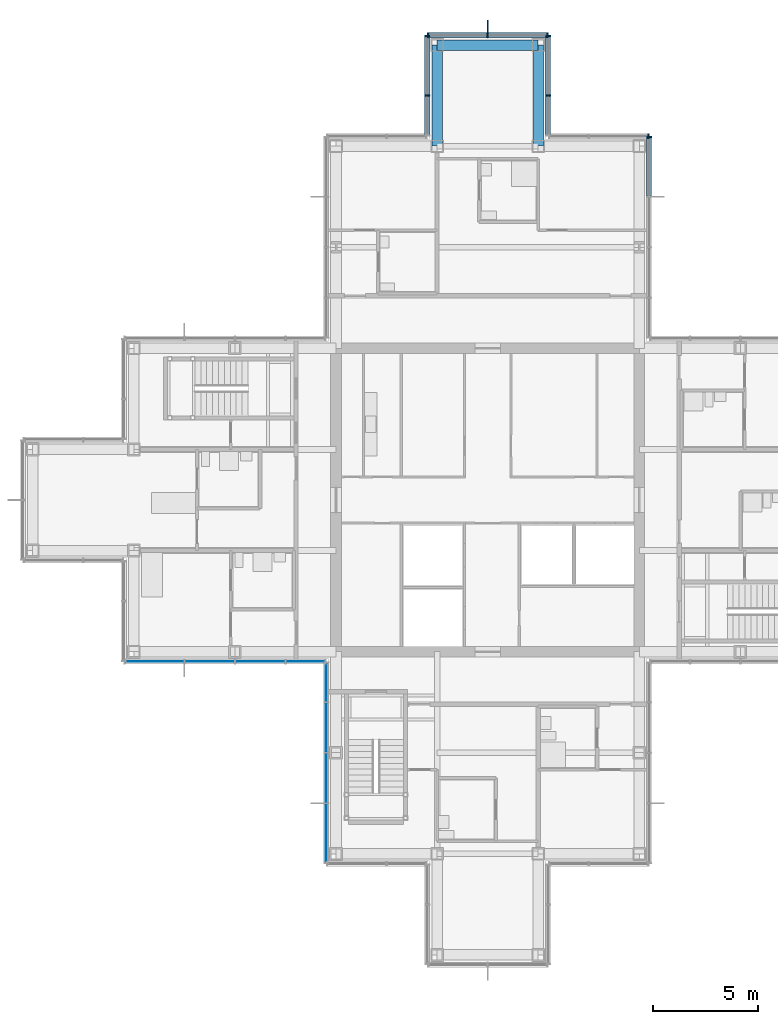
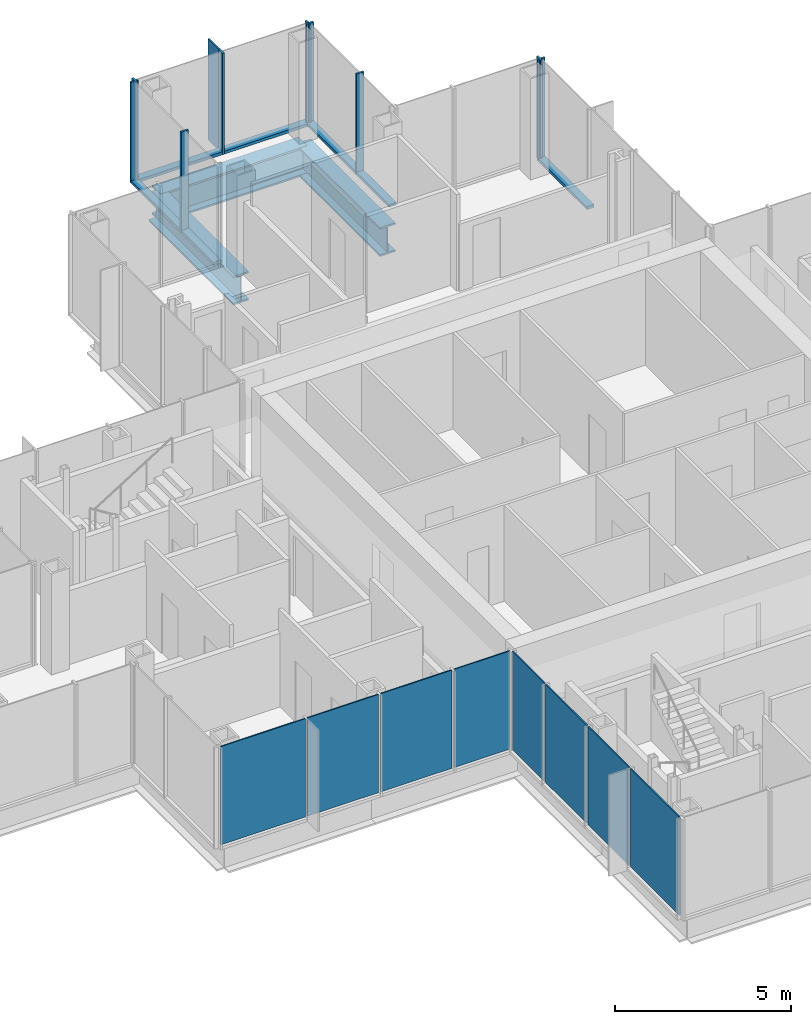
# One storey, part 9 of 17: 17 members, 8 plates, 3 beams, 7 elements without a shape of their own.
"""IFC4 building model written with IfcOpenShell, lengths in metres."""

from ifc_helpers import new_model, si_unit, direction, frame, origin, origin_2d, place, context, subcontext, project, spatial, rectangle, i_section, extrude, material, layer, layer_set, material_profile, profile_set, type_object, element, aggregate, save


model = new_model("IFC4")

# Units and contexts
model_context = context("Model", 3, precision=1e-05, world=origin(), true_north=direction((0.0, 1.0)))
body_context = subcontext(model_context, "Body", "Model", "MODEL_VIEW")
ifc_project = project(units=[si_unit("LENGTHUNIT", "METRE"), si_unit("AREAUNIT", "SQUARE_METRE"), si_unit("VOLUMEUNIT", "CUBIC_METRE"), si_unit("PLANEANGLEUNIT", "RADIAN"), si_unit("MASSUNIT", "GRAM", prefix="KILO")], contexts=[model_context])

# Site, building, storey
site_placement = place(None, origin())
site = spatial("IfcSite", under=ifc_project, at=site_placement, CompositionType="ELEMENT")
building_placement = place(site_placement, origin())
building = spatial("IfcBuilding", under=site, at=building_placement, Name="Kvirike Care Tower", CompositionType="ELEMENT")
storey_placement = place(building_placement, frame((0.0, 0.0, 165.5)))
storey = spatial("IfcBuildingStorey", under=building, at=storey_placement, Name="L45", CompositionType="ELEMENT", Elevation=165.5)

# Curtain wall, member
ifc_material_1 = material(Name="Anodised aluminium stick system", Category="aluminium")
curtain_wall_type = type_object("IfcCurtainWallType", Name="CW-C STICK CURTAIN WALL", PredefinedType="NOTDEFINED", material=ifc_material_1)
curtain_wall_1_placement = place(storey_placement, origin())
curtain_wall_1 = element("IfcCurtainWall", 1, at=curtain_wall_1_placement, inside=storey, type_object=curtain_wall_type, Name="Curtain wall L45 face 11", PredefinedType="NOTDEFINED")
ifc_material_2 = material(Name="Bronze anodised aluminium fin", Category="aluminium")
ifc_material_profile_1 = material_profile(ifc_material_2, rectangle(XDim=0.050048828125, YDim=0.60009765625, at=origin_2d()), Name="BRONZE FIN 600")
ifc_profile_set_1 = profile_set([ifc_material_profile_1], Name="Bronze anodised aluminium fin")
member_type_1 = type_object("IfcMemberType", Name="BRONZE FIN 600", PredefinedType="USERDEFINED", material=ifc_profile_set_1)
member_1_placement = place(storey_placement, frame((21.60009765625, 58.489990234375, 0.0), z_axis=(0.0, 0.0, 1.0), x_axis=(-1.0, 0.0, 0.0)))
member_1 = element("IfcMember", 2, at=member_1_placement, type_object=member_type_1, Name="Bronze fin L45 face 11.2", ObjectType="FIN", PredefinedType="USERDEFINED", context=body_context, shape_type="SweptSolid", body=[
    extrude(rectangle(XDim=0.050048828125, YDim=0.60009765625, at=origin_2d()), origin(), (0.0, 0.0, 1.0), 3.5),
])

curtain_wall_2_placement = place(storey_placement, origin())
curtain_wall_2 = element("IfcCurtainWall", 3, at=curtain_wall_2_placement, inside=storey, type_object=curtain_wall_type, Name="Curtain wall L45 face 8", PredefinedType="NOTDEFINED")
ifc_material_3 = material(Name="Bronze anodised aluminium mullion", Category="aluminium")
ifc_material_profile_2 = material_profile(ifc_material_3, rectangle(XDim=0.06494140625, YDim=0.239990234375, at=origin_2d()), Name="CW-C MULLION 65x240")
ifc_profile_set_2 = profile_set([ifc_material_profile_2], Name="Bronze anodised aluminium mullion")
member_type_2 = type_object("IfcMemberType", Name="CW-C MULLION 65x240", PredefinedType="MULLION", material=ifc_profile_set_2)
member_2_placement = place(storey_placement, frame((29.27001953125, 53.237548828125, 0.0), z_axis=(0.0, 0.0, 1.0), x_axis=(0.0, 1.0, 0.0)))
member_2 = element("IfcMember", 4, at=member_2_placement, type_object=member_type_2, Name="CW-C mullion L45 face 8.5", PredefinedType="MULLION", context=body_context, shape_type="SweptSolid", body=[
    extrude(rectangle(XDim=0.06494140625, YDim=0.239990234375, at=origin_2d()), origin(), (0.0, 0.0, 1.0), 3.5),
])

curtain_wall_3_placement = place(storey_placement, origin())
curtain_wall_3 = element("IfcCurtainWall", 5, at=curtain_wall_3_placement, inside=storey, type_object=curtain_wall_type, Name="Curtain wall L45 face 9", PredefinedType="NOTDEFINED")
member_3_placement = place(storey_placement, frame((29.237548828125, 53.27001953125, 0.0), z_axis=(0.0, 0.0, 1.0), x_axis=(-1.0, 0.0, 0.0)))
member_3 = element("IfcMember", 6, at=member_3_placement, type_object=member_type_2, Name="CW-C mullion L45 face 9.1", PredefinedType="MULLION", context=body_context, shape_type="SweptSolid", body=[
    extrude(rectangle(XDim=0.06494140625, YDim=0.239990234375, at=origin_2d()), origin(), (0.0, 0.0, 1.0), 3.5),
])
aggregate(curtain_wall_3, [member_3])

# Curtain wall, members
curtain_wall_4_placement = place(storey_placement, origin())
curtain_wall_4 = element("IfcCurtainWall", 7, at=curtain_wall_4_placement, inside=storey, type_object=curtain_wall_type, Name="Curtain wall L45 face 10", PredefinedType="NOTDEFINED")
member_4_placement = place(storey_placement, frame((24.469970703125, 55.199951171875, 0.0), z_axis=(0.0, 0.0, 1.0), x_axis=(0.0, 1.0, 0.0)))
member_4 = element("IfcMember", 8, at=member_4_placement, type_object=member_type_2, Name="CW-C mullion L45 face 10.2", PredefinedType="MULLION", context=body_context, shape_type="SweptSolid", body=[
    extrude(rectangle(XDim=0.06494140625, YDim=0.239990234375, at=origin_2d()), origin(), (0.0, 0.0, 1.0), 3.5),
])
member_5_placement = place(storey_placement, frame((24.469970703125, 58.03759765625, 0.0), z_axis=(0.0, 0.0, 1.0), x_axis=(0.0, 1.0, 0.0)))
member_5 = element("IfcMember", 9, at=member_5_placement, type_object=member_type_2, Name="CW-C mullion L45 face 10.3", PredefinedType="MULLION", context=body_context, shape_type="SweptSolid", body=[
    extrude(rectangle(XDim=0.06494140625, YDim=0.239990234375, at=origin_2d()), origin(), (0.0, 0.0, 1.0), 3.5),
])

# Member
member_6_placement = place(storey_placement, frame((24.4375, 58.070068359375, 0.0), z_axis=(0.0, 0.0, 1.0), x_axis=(-1.0, 0.0, 0.0)))
member_6 = element("IfcMember", 10, at=member_6_placement, type_object=member_type_2, Name="CW-C mullion L45 face 11.1", PredefinedType="MULLION", context=body_context, shape_type="SweptSolid", body=[
    extrude(rectangle(XDim=0.06494140625, YDim=0.239990234375, at=origin_2d()), origin(), (0.0, 0.0, 1.0), 3.5),
])

member_7_placement = place(storey_placement, frame((21.60009765625, 58.070068359375, 0.0), z_axis=(0.0, 0.0, 1.0), x_axis=(-1.0, 0.0, 0.0)))
member_7 = element("IfcMember", 11, at=member_7_placement, type_object=member_type_2, Name="CW-C mullion L45 face 11.2", PredefinedType="MULLION", context=body_context, shape_type="SweptSolid", body=[
    extrude(rectangle(XDim=0.06494140625, YDim=0.239990234375, at=origin_2d()), origin(), (0.0, 0.0, 1.0), 3.5),
])

member_8_placement = place(storey_placement, frame((18.762451171875, 58.070068359375, 0.0), z_axis=(0.0, 0.0, 1.0), x_axis=(-1.0, 0.0, 0.0)))
member_8 = element("IfcMember", 12, at=member_8_placement, type_object=member_type_2, Name="CW-C mullion L45 face 11.3", PredefinedType="MULLION", context=body_context, shape_type="SweptSolid", body=[
    extrude(rectangle(XDim=0.06494140625, YDim=0.239990234375, at=origin_2d()), origin(), (0.0, 0.0, 1.0), 3.5),
])

# Curtain wall, members
curtain_wall_5_placement = place(storey_placement, origin())
curtain_wall_5 = element("IfcCurtainWall", 13, at=curtain_wall_5_placement, inside=storey, type_object=curtain_wall_type, Name="Curtain wall L45 face 12", PredefinedType="NOTDEFINED")
member_9_placement = place(storey_placement, frame((18.72998046875, 58.03759765625, 0.0), z_axis=(0.0, 0.0, 1.0), x_axis=(0.0, -1.0, 0.0)))
member_9 = element("IfcMember", 14, at=member_9_placement, type_object=member_type_2, Name="CW-C mullion L45 face 12.1", PredefinedType="MULLION", context=body_context, shape_type="SweptSolid", body=[
    extrude(rectangle(XDim=0.06494140625, YDim=0.239990234375, at=origin_2d()), origin(), (0.0, 0.0, 1.0), 3.5),
])
member_10_placement = place(storey_placement, frame((18.72998046875, 55.199951171875, 0.0), z_axis=(0.0, 0.0, 1.0), x_axis=(0.0, -1.0, 0.0)))
member_10 = element("IfcMember", 15, at=member_10_placement, type_object=member_type_2, Name="CW-C mullion L45 face 12.2", PredefinedType="MULLION", context=body_context, shape_type="SweptSolid", body=[
    extrude(rectangle(XDim=0.06494140625, YDim=0.239990234375, at=origin_2d()), origin(), (0.0, 0.0, 1.0), 3.5),
])

# Member
ifc_material_4 = material(Name="Bronze anodised aluminium transom", Category="aluminium")
ifc_material_profile_3 = material_profile(ifc_material_4, rectangle(XDim=0.239990234375, YDim=0.10009765625, at=origin_2d()), Name="CW-C TRANSOM 240x100")
ifc_profile_set_3 = profile_set([ifc_material_profile_3], Name="Bronze anodised aluminium transom")
member_type_3 = type_object("IfcMemberType", Name="CW-C TRANSOM 240x100", PredefinedType="USERDEFINED", material=ifc_profile_set_3)
member_11_placement = place(storey_placement, frame((29.27001953125, 50.4326171875, 0.050048828125), z_axis=(0.0, 1.0, 0.0), x_axis=(-1.0, 0.0, 0.0)))
member_11 = element("IfcMember", 16, at=member_11_placement, type_object=member_type_3, Name="CW-C sill transom L45 face 8.4", ObjectType="TRANSOM", PredefinedType="USERDEFINED", context=body_context, shape_type="SweptSolid", body=[
    extrude(rectangle(XDim=0.239990234375, YDim=0.10009765625, at=origin_2d()), origin(), (0.0, 0.0, 1.0), 2.7724609375),
])

aggregate(curtain_wall_2, [member_2, member_11])

member_12_placement = place(storey_placement, frame((24.469970703125, 53.3349609375, 0.050048828125), z_axis=(0.0, 1.0, 0.0), x_axis=(-1.0, 0.0, 0.0)))
member_12 = element("IfcMember", 17, at=member_12_placement, type_object=member_type_3, Name="CW-C sill transom L45 face 10.1", ObjectType="TRANSOM", PredefinedType="USERDEFINED", context=body_context, shape_type="SweptSolid", body=[
    extrude(rectangle(XDim=0.239990234375, YDim=0.10009765625, at=origin_2d()), origin(), (0.0, 0.0, 1.0), 1.83251953125),
])

member_13_placement = place(storey_placement, frame((24.469970703125, 55.232421875, 0.050048828125), z_axis=(0.0, 1.0, 0.0), x_axis=(-1.0, 0.0, 0.0)))
member_13 = element("IfcMember", 18, at=member_13_placement, type_object=member_type_3, Name="CW-C sill transom L45 face 10.2", ObjectType="TRANSOM", PredefinedType="USERDEFINED", context=body_context, shape_type="SweptSolid", body=[
    extrude(rectangle(XDim=0.239990234375, YDim=0.10009765625, at=origin_2d()), origin(), (0.0, 0.0, 1.0), 2.7724609375),
])

aggregate(curtain_wall_4, [member_4, member_5, member_12, member_13])

member_14_placement = place(storey_placement, frame((24.405029296875, 58.070068359375, 0.050048828125), z_axis=(-1.0, 0.0, 0.0), x_axis=(0.0, -1.0, 0.0)))
member_14 = element("IfcMember", 19, at=member_14_placement, type_object=member_type_3, Name="CW-C sill transom L45 face 11.1", ObjectType="TRANSOM", PredefinedType="USERDEFINED", context=body_context, shape_type="SweptSolid", body=[
    extrude(rectangle(XDim=0.239990234375, YDim=0.10009765625, at=origin_2d()), origin(), (0.0, 0.0, 1.0), 2.7724609375),
])

member_15_placement = place(storey_placement, frame((21.5673828125, 58.070068359375, 0.050048828125), z_axis=(-1.0, 0.0, 0.0), x_axis=(0.0, -1.0, 0.0)))
member_15 = element("IfcMember", 20, at=member_15_placement, type_object=member_type_3, Name="CW-C sill transom L45 face 11.2", ObjectType="TRANSOM", PredefinedType="USERDEFINED", context=body_context, shape_type="SweptSolid", body=[
    extrude(rectangle(XDim=0.239990234375, YDim=0.10009765625, at=origin_2d()), origin(), (0.0, 0.0, 1.0), 2.7724609375),
])

aggregate(curtain_wall_1, [member_6, member_7, member_1, member_8, member_14, member_15])

member_16_placement = place(storey_placement, frame((18.72998046875, 58.0048828125, 0.050048828125), z_axis=(0.0, -1.0, 0.0), x_axis=(1.0, 0.0, 0.0)))
member_16 = element("IfcMember", 21, at=member_16_placement, type_object=member_type_3, Name="CW-C sill transom L45 face 12.1", ObjectType="TRANSOM", PredefinedType="USERDEFINED", context=body_context, shape_type="SweptSolid", body=[
    extrude(rectangle(XDim=0.239990234375, YDim=0.10009765625, at=origin_2d()), origin(), (0.0, 0.0, 1.0), 2.7724609375),
])

member_17_placement = place(storey_placement, frame((18.72998046875, 55.16748046875, 0.050048828125), z_axis=(0.0, -1.0, 0.0), x_axis=(1.0, 0.0, 0.0)))
member_17 = element("IfcMember", 22, at=member_17_placement, type_object=member_type_3, Name="CW-C sill transom L45 face 12.2", ObjectType="TRANSOM", PredefinedType="USERDEFINED", context=body_context, shape_type="SweptSolid", body=[
    extrude(rectangle(XDim=0.239990234375, YDim=0.10009765625, at=origin_2d()), origin(), (0.0, 0.0, 1.0), 1.83251953125),
])

aggregate(curtain_wall_5, [member_9, member_10, member_16, member_17])

# Beams
ifc_material_5 = material(Name="Steel S355", Category="steel")
ifc_material_profile_4 = material_profile(ifc_material_5, i_section(OverallWidth=0.5, OverallDepth=1.0, WebThickness=0.030029296875, FlangeThickness=0.06005859375, at=origin_2d()), Name="PG 1000x500x30x60")
ifc_profile_set_4 = profile_set([ifc_material_profile_4], Name="Steel S355")
beam_type = type_object("IfcBeamType", Name="SPANDREL PG 1000x500x30x60", PredefinedType="SPANDREL", material=ifc_profile_set_4)
for number, where, z_axis, x_axis, name in (
    (23, (19.199951171875, 57.60009765625, -0.669921875), (1.0, 0.0, 0.0), (0.0, 1.0, 0.0), "Spandrel N7-N8 L45"),
    (24, (19.199951171875, 52.800048828125, -0.669921875), (0.0, 1.0, 0.0), (-1.0, 0.0, 0.0), "Spandrel M7-N7 L45"),
    (25, (24.0, 52.800048828125, -0.669921875), (0.0, 1.0, 0.0), (-1.0, 0.0, 0.0), "Spandrel M8-N8 L45"),
):
    element("IfcBeam", number, at=place(storey_placement, frame(where, z_axis=z_axis, x_axis=x_axis)), inside=storey, type_object=beam_type, Name=name, PredefinedType="SPANDREL", context=body_context, shape_type="SweptSolid", body=[
        extrude(i_section(OverallWidth=0.5, OverallDepth=1.0, WebThickness=0.030029296875, FlangeThickness=0.06005859375, at=origin_2d()), origin(), (0.0, 0.0, 1.0), 4.800048828125),
    ])

# Curtain wall, plates
curtain_wall_6_placement = place(storey_placement, origin())
curtain_wall_6 = element("IfcCurtainWall", 26, at=curtain_wall_6_placement, inside=storey, type_object=curtain_wall_type, Name="Curtain wall L45 face 21", PredefinedType="NOTDEFINED")
ifc_material_6 = material(Name="Tinted double glazed unit", Category="glass")
ifc_layer = layer(ifc_material_6, 0.0400390625)
ifc_layer_set = layer_set([ifc_layer], Name="TINTED VISION PANEL 40")
plate_type = type_object("IfcPlateType", Name="TINTED VISION PANEL 40", PredefinedType="CURTAIN_PANEL", material=ifc_layer_set)
plate_1_placement = place(storey_placement, frame((5.78125, 28.330078125, 0.10009765625), z_axis=(0.0, 0.0, 1.0), x_axis=(1.0, 0.0, 0.0)))
plate_1 = element("IfcPlate", 27, at=plate_1_placement, type_object=plate_type, Name="CW-C panel L45 face 21.1", PredefinedType="CURTAIN_PANEL", context=body_context, shape_type="SweptSolid", body=[
    extrude(rectangle(XDim=2.7724609375, YDim=0.0400390625, at=origin_2d()), origin(), (0.0, 0.0, 1.0), 3.39990234375),
])
plate_2_placement = place(storey_placement, frame((8.39990234375, 28.330078125, 0.10009765625), z_axis=(0.0, 0.0, 1.0), x_axis=(1.0, 0.0, 0.0)))
plate_2 = element("IfcPlate", 28, at=plate_2_placement, type_object=plate_type, Name="CW-C panel L45 face 21.2", PredefinedType="CURTAIN_PANEL", context=body_context, shape_type="SweptSolid", body=[
    extrude(rectangle(XDim=2.3349609375, YDim=0.0400390625, at=origin_2d()), origin(), (0.0, 0.0, 1.0), 3.39990234375),
])
plate_3_placement = place(storey_placement, frame((10.800048828125, 28.330078125, 0.10009765625), z_axis=(0.0, 0.0, 1.0), x_axis=(1.0, 0.0, 0.0)))
plate_3 = element("IfcPlate", 29, at=plate_3_placement, type_object=plate_type, Name="CW-C panel L45 face 21.3", PredefinedType="CURTAIN_PANEL", context=body_context, shape_type="SweptSolid", body=[
    extrude(rectangle(XDim=2.3349609375, YDim=0.0400390625, at=origin_2d()), origin(), (0.0, 0.0, 1.0), 3.39990234375),
])
plate_4_placement = place(storey_placement, frame((12.94873046875, 28.330078125, 0.10009765625), z_axis=(0.0, 0.0, 1.0), x_axis=(1.0, 0.0, 0.0)))
plate_4 = element("IfcPlate", 30, at=plate_4_placement, type_object=plate_type, Name="CW-C panel L45 face 21.4", PredefinedType="CURTAIN_PANEL", context=body_context, shape_type="SweptSolid", body=[
    extrude(rectangle(XDim=1.83251953125, YDim=0.0400390625, at=origin_2d()), origin(), (0.0, 0.0, 1.0), 3.39990234375),
])
aggregate(curtain_wall_6, [plate_1, plate_2, plate_3, plate_4])

curtain_wall_7_placement = place(storey_placement, origin())
curtain_wall_7 = element("IfcCurtainWall", 31, at=curtain_wall_7_placement, inside=storey, type_object=curtain_wall_type, Name="Curtain wall L45 face 22", PredefinedType="NOTDEFINED")
plate_5_placement = place(storey_placement, frame((13.929931640625, 27.3486328125, 0.10009765625), z_axis=(0.0, 0.0, 1.0), x_axis=(0.0, -1.0, 0.0)))
plate_5 = element("IfcPlate", 32, at=plate_5_placement, type_object=plate_type, Name="CW-C panel L45 face 22.1", PredefinedType="CURTAIN_PANEL", context=body_context, shape_type="SweptSolid", body=[
    extrude(rectangle(XDim=1.83251953125, YDim=0.0400390625, at=origin_2d()), origin(), (0.0, 0.0, 1.0), 3.39990234375),
])
plate_6_placement = place(storey_placement, frame((13.929931640625, 25.199951171875, 0.10009765625), z_axis=(0.0, 0.0, 1.0), x_axis=(0.0, -1.0, 0.0)))
plate_6 = element("IfcPlate", 33, at=plate_6_placement, type_object=plate_type, Name="CW-C panel L45 face 22.2", PredefinedType="CURTAIN_PANEL", context=body_context, shape_type="SweptSolid", body=[
    extrude(rectangle(XDim=2.3349609375, YDim=0.0400390625, at=origin_2d()), origin(), (0.0, 0.0, 1.0), 3.39990234375),
])
plate_7_placement = place(storey_placement, frame((13.929931640625, 22.800048828125, 0.10009765625), z_axis=(0.0, 0.0, 1.0), x_axis=(0.0, -1.0, 0.0)))
plate_7 = element("IfcPlate", 34, at=plate_7_placement, type_object=plate_type, Name="CW-C panel L45 face 22.3", PredefinedType="CURTAIN_PANEL", context=body_context, shape_type="SweptSolid", body=[
    extrude(rectangle(XDim=2.3349609375, YDim=0.0400390625, at=origin_2d()), origin(), (0.0, 0.0, 1.0), 3.39990234375),
])
plate_8_placement = place(storey_placement, frame((13.929931640625, 20.18115234375, 0.10009765625), z_axis=(0.0, 0.0, 1.0), x_axis=(0.0, -1.0, 0.0)))
plate_8 = element("IfcPlate", 35, at=plate_8_placement, type_object=plate_type, Name="CW-C panel L45 face 22.4", PredefinedType="CURTAIN_PANEL", context=body_context, shape_type="SweptSolid", body=[
    extrude(rectangle(XDim=2.7724609375, YDim=0.0400390625, at=origin_2d()), origin(), (0.0, 0.0, 1.0), 3.39990234375),
])
aggregate(curtain_wall_7, [plate_5, plate_6, plate_7, plate_8])

save(model, "model.ifc")
